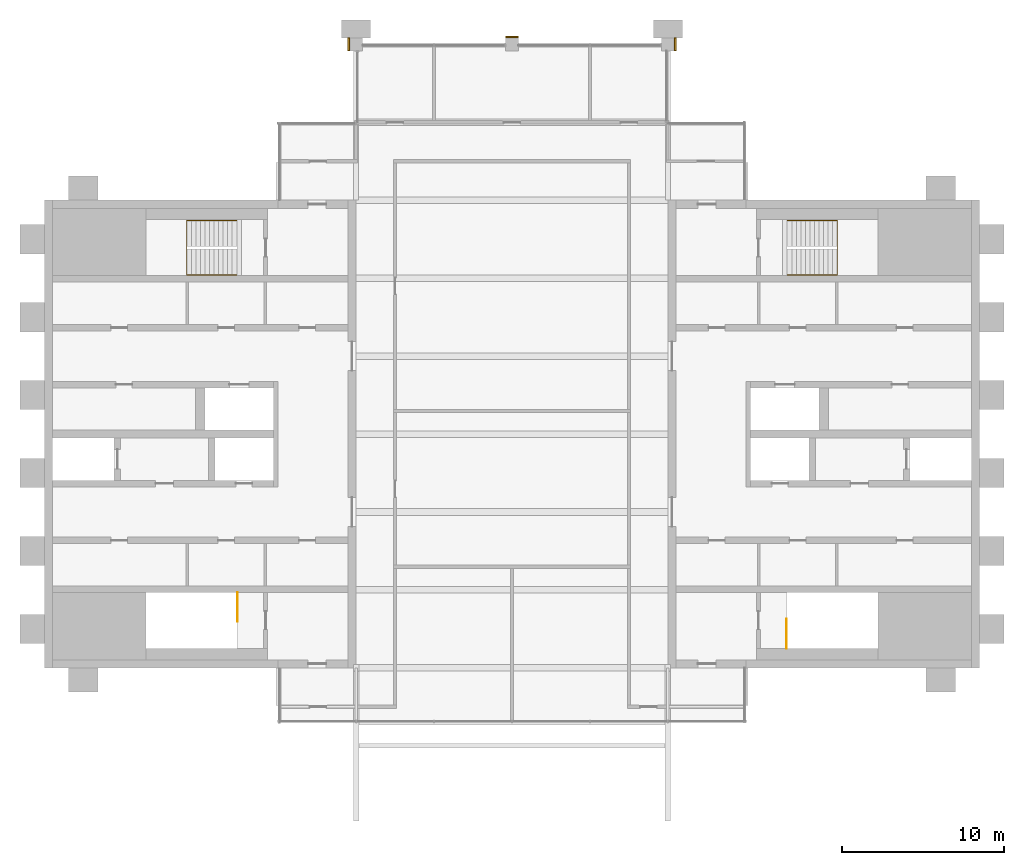
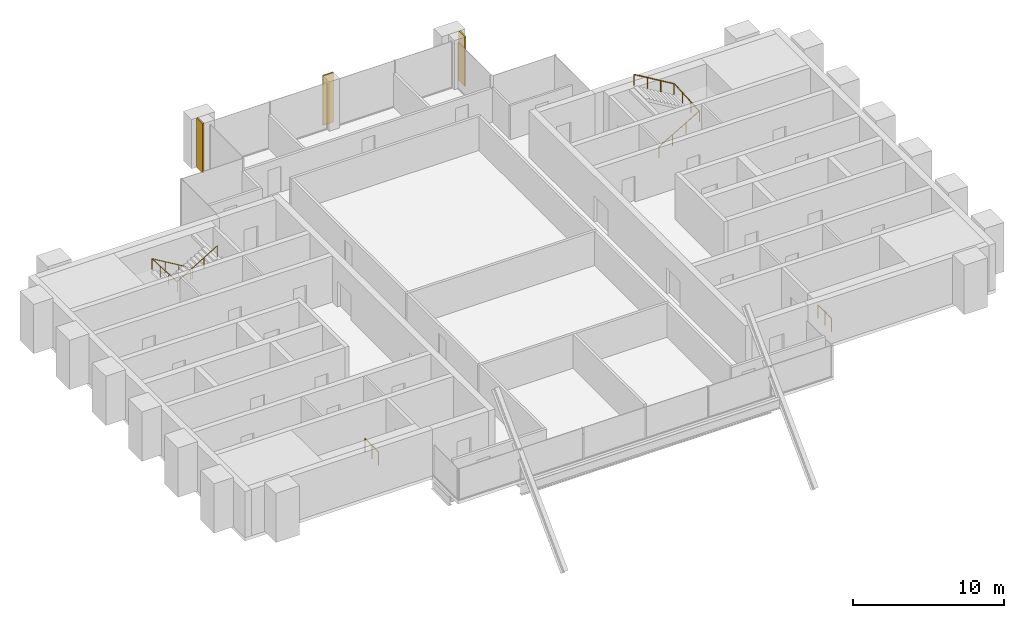
# One storey, part 11 of 11: 4 railings, 3 coverings.
"""IFC4 building model written with IfcOpenShell, lengths in metres."""

from ifc_helpers import new_model, si_unit, direction, frame, origin, origin_2d, place, context, subcontext, project, spatial, rectangle, circle, extrude, material, layer, layer_set, type_object, element, save


model = new_model("IFC4")

# Units and contexts
model_context = context("Model", 3, precision=1e-05, world=origin(), true_north=direction((0.0, 1.0)))
body_context = subcontext(model_context, "Body", "Model", "MODEL_VIEW")
ifc_project = project(units=[si_unit("LENGTHUNIT", "METRE"), si_unit("AREAUNIT", "SQUARE_METRE"), si_unit("VOLUMEUNIT", "CUBIC_METRE"), si_unit("PLANEANGLEUNIT", "RADIAN"), si_unit("MASSUNIT", "GRAM", prefix="KILO")], contexts=[model_context])

# Site, building, storey
site_placement = place(None, origin())
site = spatial("IfcSite", under=ifc_project, at=site_placement, CompositionType="ELEMENT")
building_placement = place(site_placement, origin())
building = spatial("IfcBuilding", under=site, at=building_placement, Name="Baori Bourse Tower", CompositionType="ELEMENT")
storey_placement = place(building_placement, frame((0.0, 0.0, 366.300048828125)))
storey = spatial("IfcBuildingStorey", under=building, at=storey_placement, Name="L82", CompositionType="ELEMENT", Elevation=366.300048828125)

# Railings
ifc_material_1 = material(Name="Powder-coated steel balustrade", Category="steel")
railing_type_1 = type_object("IfcRailingType", Name="Core stair guard", PredefinedType="GUARDRAIL", material=ifc_material_1)
railing_1_placement = place(storey_placement, frame((11.89990234375, 14.25, 0.0)))
element("IfcRailing", 1, at=railing_1_placement, inside=storey, type_object=railing_type_1, Name="L82 ST1 top well guard 1", PredefinedType="GUARDRAIL", context=body_context, shape_type="SweptSolid", body=[
    extrude(circle(Radius=0.02392578125, at=origin_2d()), frame((0.0, 0.0, 1.076171875), z_axis=(0.0, -1.0, 0.0), x_axis=(1.0, 0.0, 0.0)), (0.0, 0.0, 1.0), 1.800048828125),
    extrude(circle(Radius=0.02099609375, at=origin_2d()), origin(), (0.0, 0.0, 1.0), 1.052001953125),
    extrude(circle(Radius=0.02099609375, at=origin_2d()), frame((0.0, -0.89990234375, 0.0)), (0.0, 0.0, 1.0), 1.052001953125),
    extrude(circle(Radius=0.02099609375, at=origin_2d()), frame((0.0, -1.800048828125, 0.0)), (0.0, 0.0, 1.0), 1.052001953125),
])
railing_2_placement = place(storey_placement, frame((45.699951171875, 10.800048828125, 0.0)))
element("IfcRailing", 2, at=railing_2_placement, inside=storey, type_object=railing_type_1, Name="L82 ST3 top well guard 1", PredefinedType="GUARDRAIL", context=body_context, shape_type="SweptSolid", body=[
    extrude(circle(Radius=0.02392578125, at=origin_2d()), frame((0.0, 0.0, 1.076171875), z_axis=(0.0, 1.0, 0.0), x_axis=(-1.0, 0.0, 0.0)), (0.0, 0.0, 1.0), 1.800048828125),
    extrude(circle(Radius=0.02099609375, at=origin_2d()), origin(), (0.0, 0.0, 1.0), 1.052001953125),
    extrude(circle(Radius=0.02099609375, at=origin_2d()), frame((0.0, 0.89990234375, 0.0)), (0.0, 0.0, 1.0), 1.052001953125),
    extrude(circle(Radius=0.02099609375, at=origin_2d()), frame((0.0, 1.800048828125, 0.0)), (0.0, 0.0, 1.0), 1.052001953125),
])
ifc_material_2 = material(Name="Powder-coated steel balustrade", Category="steel")
railing_type_2 = type_object("IfcRailingType", Name="Core stair handrail", PredefinedType="HANDRAIL", material=ifc_material_2)
railing_3_placement = place(storey_placement, frame((11.85009765625, 37.14990234375, 0.16650390625)))
element("IfcRailing", 3, at=railing_3_placement, inside=storey, type_object=railing_type_2, Name="L82 ST2 stair handrail 1", PredefinedType="HANDRAIL", context=body_context, shape_type="SweptSolid", body=[
    extrude(circle(Radius=0.02392578125, at=origin_2d()), frame((0.0, 0.0, 0.8759765625), z_axis=(-0.85927862911, 0.0, 0.511507807912), x_axis=(0.0, -1.0, 0.0)), (0.0, 0.0, 1.0), 3.58447265625),
    extrude(circle(Radius=0.02392578125, at=origin_2d()), frame((-3.080078125, 0.0, 2.70947265625), z_axis=(0.0, -0.998766999029, 0.049643545903), x_axis=(1.0, 0.0, 0.0)), (0.0, 0.0, 1.0), 3.35400390625),
    extrude(circle(Radius=0.02392578125, at=origin_2d()), frame((-3.080078125, -3.349853515625, 2.8759765625), z_axis=(0.85927862911, 0.0, 0.511507807912), x_axis=(0.0, 1.0, 0.0)), (0.0, 0.0, 1.0), 3.58447265625),
    extrude(circle(Radius=0.02099609375, at=origin_2d()), origin(), (0.0, 0.0, 1.0), 0.851806640625),
    extrude(circle(Radius=0.02099609375, at=origin_2d()), frame((-1.026611328125, 0.0, 0.611083984375)), (0.0, 0.0, 1.0), 0.851806640625),
    extrude(circle(Radius=0.02099609375, at=origin_2d()), frame((-2.053466796875, 0.0, 1.222412109375)), (0.0, 0.0, 1.0), 0.851806640625),
    extrude(circle(Radius=0.02099609375, at=origin_2d()), frame((-3.080078125, 0.0, 1.83349609375)), (0.0, 0.0, 1.0), 0.851806640625),
    extrude(circle(Radius=0.02099609375, at=origin_2d()), frame((-3.080078125, -1.11669921875, 1.888916015625)), (0.0, 0.0, 1.0), 0.851806640625),
    extrude(circle(Radius=0.02099609375, at=origin_2d()), frame((-3.080078125, -2.233154296875, 1.944580078125)), (0.0, 0.0, 1.0), 0.851806640625),
    extrude(circle(Radius=0.02099609375, at=origin_2d()), frame((-3.080078125, -3.349853515625, 2.0)), (0.0, 0.0, 1.0), 0.851806640625),
    extrude(circle(Radius=0.02099609375, at=origin_2d()), frame((-2.053466796875, -3.349853515625, 2.611083984375)), (0.0, 0.0, 1.0), 0.851806640625),
    extrude(circle(Radius=0.02099609375, at=origin_2d()), frame((-1.026611328125, -3.349853515625, 3.222412109375)), (0.0, 0.0, 1.0), 0.851806640625),
    extrude(circle(Radius=0.02099609375, at=origin_2d()), frame((0.0, -3.349853515625, 3.83349609375)), (0.0, 0.0, 1.0), 0.851806640625),
])
railing_4_placement = place(storey_placement, frame((45.75, 33.800048828125, 0.16650390625)))
element("IfcRailing", 4, at=railing_4_placement, inside=storey, type_object=railing_type_2, Name="L82 ST4 stair handrail 1", PredefinedType="HANDRAIL", context=body_context, shape_type="SweptSolid", body=[
    extrude(circle(Radius=0.02392578125, at=origin_2d()), frame((0.0, 0.0, 0.8759765625), z_axis=(0.85927862911, 0.0, 0.511507807912), x_axis=(0.0, 1.0, 0.0)), (0.0, 0.0, 1.0), 3.58447265625),
    extrude(circle(Radius=0.02392578125, at=origin_2d()), frame((3.080078125, 0.0, 2.70947265625), z_axis=(0.0, 0.998766999029, 0.049643545903), x_axis=(-1.0, 0.0, 0.0)), (0.0, 0.0, 1.0), 3.35400390625),
    extrude(circle(Radius=0.02392578125, at=origin_2d()), frame((3.080078125, 3.349853515625, 2.8759765625), z_axis=(-0.85927862911, 0.0, 0.511507807912), x_axis=(0.0, -1.0, 0.0)), (0.0, 0.0, 1.0), 3.58447265625),
    extrude(circle(Radius=0.02099609375, at=origin_2d()), origin(), (0.0, 0.0, 1.0), 0.851806640625),
    extrude(circle(Radius=0.02099609375, at=origin_2d()), frame((1.026611328125, 0.0, 0.611083984375)), (0.0, 0.0, 1.0), 0.851806640625),
    extrude(circle(Radius=0.02099609375, at=origin_2d()), frame((2.053466796875, 0.0, 1.222412109375)), (0.0, 0.0, 1.0), 0.851806640625),
    extrude(circle(Radius=0.02099609375, at=origin_2d()), frame((3.080078125, 0.0, 1.83349609375)), (0.0, 0.0, 1.0), 0.851806640625),
    extrude(circle(Radius=0.02099609375, at=origin_2d()), frame((3.080078125, 1.11669921875, 1.888916015625)), (0.0, 0.0, 1.0), 0.851806640625),
    extrude(circle(Radius=0.02099609375, at=origin_2d()), frame((3.080078125, 2.233154296875, 1.944580078125)), (0.0, 0.0, 1.0), 0.851806640625),
    extrude(circle(Radius=0.02099609375, at=origin_2d()), frame((3.080078125, 3.349853515625, 2.0)), (0.0, 0.0, 1.0), 0.851806640625),
    extrude(circle(Radius=0.02099609375, at=origin_2d()), frame((2.053466796875, 3.349853515625, 2.611083984375)), (0.0, 0.0, 1.0), 0.851806640625),
    extrude(circle(Radius=0.02099609375, at=origin_2d()), frame((1.026611328125, 3.349853515625, 3.222412109375)), (0.0, 0.0, 1.0), 0.851806640625),
    extrude(circle(Radius=0.02099609375, at=origin_2d()), frame((0.0, 3.349853515625, 3.83349609375)), (0.0, 0.0, 1.0), 0.851806640625),
])

# Coverings
ifc_material_3 = material(Name="Face brick", Category="masonry")
ifc_layer = layer(ifc_material_3, 0.110107421875)
ifc_layer_set = layer_set([ifc_layer], Name="PC1 Brick pier facing")
covering_type = type_object("IfcCoveringType", Name="PC1 Brick pier facing", PredefinedType="CLADDING", material=ifc_layer_set)
covering_1_placement = place(storey_placement, frame((18.7451171875, 48.0, 0.0), z_axis=(0.0, 0.0, 1.0), x_axis=(1.0, 0.0, 0.0)))
element("IfcCovering", 5, at=covering_1_placement, inside=storey, type_object=covering_type, Name="Brick pier facing L82 1", PredefinedType="CLADDING", context=body_context, shape_type="SweptSolid", body=[
    extrude(rectangle(XDim=0.110107421875, YDim=0.800048828125, at=origin_2d()), origin(), (0.0, 0.0, 1.0), 4.0),
])
covering_2_placement = place(storey_placement, frame((28.800048828125, 48.455078125, 0.0), z_axis=(0.0, 0.0, 1.0), x_axis=(1.0, 0.0, 0.0)))
element("IfcCovering", 6, at=covering_2_placement, inside=storey, type_object=covering_type, Name="Brick pier facing L82 2", PredefinedType="CLADDING", context=body_context, shape_type="SweptSolid", body=[
    extrude(rectangle(XDim=0.800048828125, YDim=0.110107421875, at=origin_2d()), origin(), (0.0, 0.0, 1.0), 4.0),
])
covering_3_placement = place(storey_placement, frame((38.85498046875, 48.0, 0.0), z_axis=(0.0, 0.0, 1.0), x_axis=(1.0, 0.0, 0.0)))
element("IfcCovering", 7, at=covering_3_placement, inside=storey, type_object=covering_type, Name="Brick pier facing L82 3", PredefinedType="CLADDING", context=body_context, shape_type="SweptSolid", body=[
    extrude(rectangle(XDim=0.110107421875, YDim=0.800048828125, at=origin_2d()), origin(), (0.0, 0.0, 1.0), 4.0),
])

save(model, "model.ifc")
